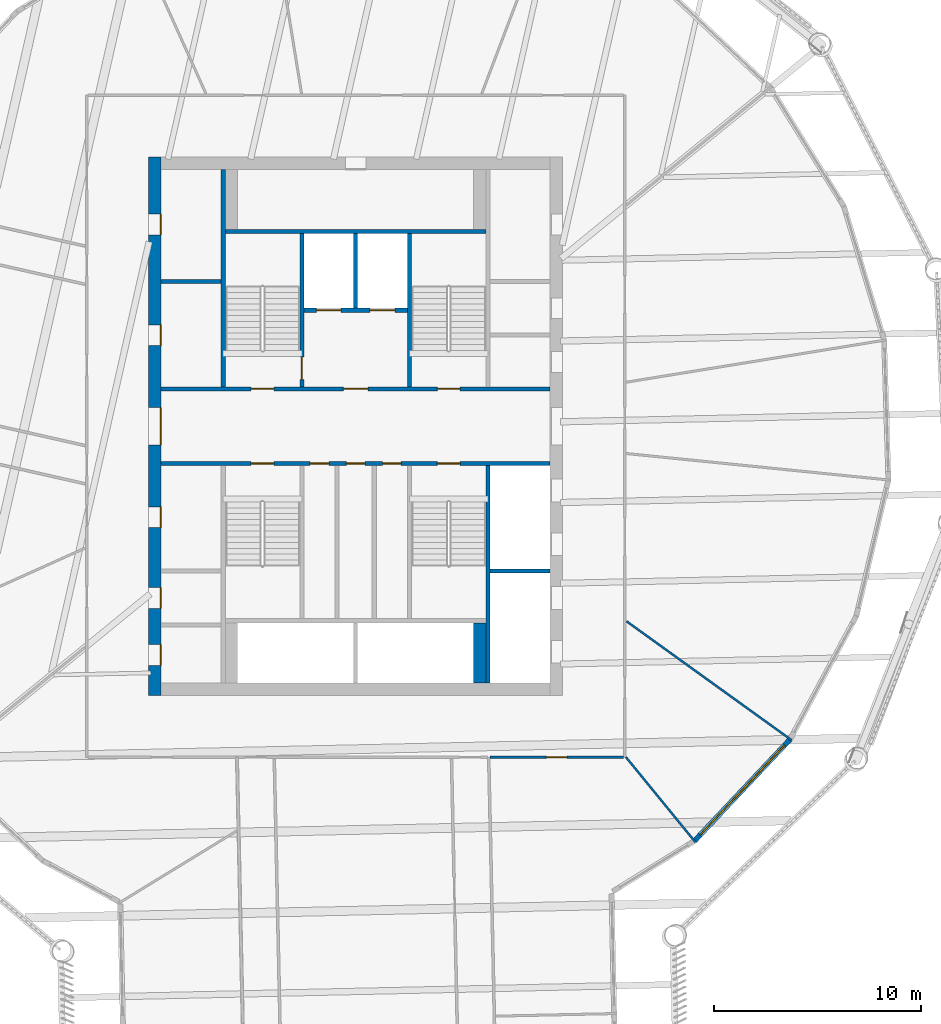
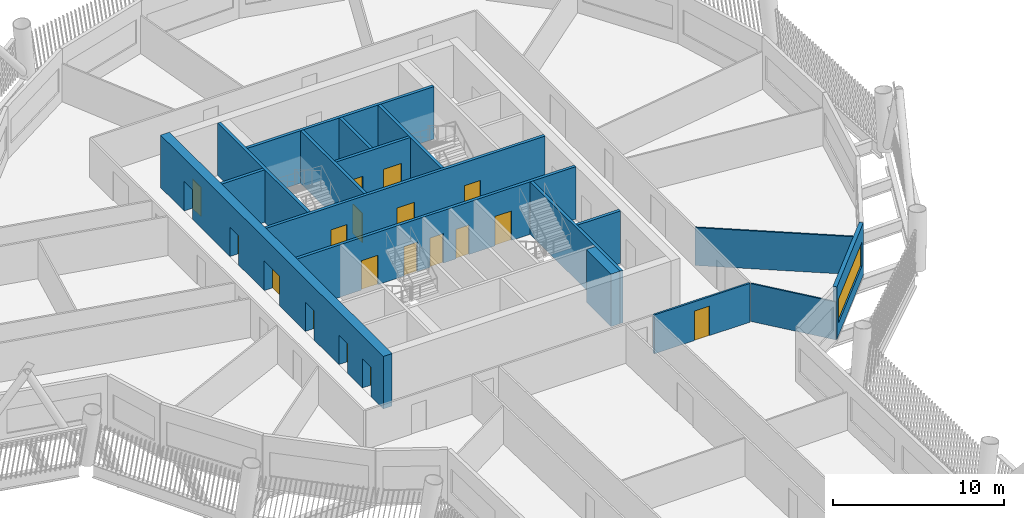
# One storey, part 5 of 23: 18 doors, 17 walls, 1 window, 19 openings.
"""IFC4 building model written with IfcOpenShell, lengths in metres."""

import ifcopenshell
import ifcopenshell.guid

model = None  # the IFC model being written
_history = None  # IfcOwnerHistory: only IFC2X3 demands one
_inside = {}  # id of a spatial element -> (the spatial element, [elements in it])
_under = {}  # id of a project, library or spatial element -> (it, [spatial elements below it])
_declared = {}  # id of a project -> (the project, [libraries it declares])
_typed = {}  # id of a type object -> (the type object, [elements of that type])
_made_of = {}  # id of a material, layer set ... -> (it, [elements and type objects made of it])


def new_model(schema):
    """Start an empty IFC model of exactly this schema.

    Asked for "IFC4X3", IfcOpenShell would pick the latest addendum, in which some entities
    have other attributes; the version numbers below select the first issue.
    IFC2X3 requires an IfcOwnerHistory on every rooted entity: one is made here for all.
    """
    global model, _history
    if schema == "IFC4X3":
        model = ifcopenshell.file(schema_version=(4, 3, 0, 0))
    else:
        model = ifcopenshell.file(schema=schema)
    _inside.clear()
    _under.clear()
    _declared.clear()
    _typed.clear()
    _made_of.clear()
    _history = None
    if model.schema == "IFC2X3":
        org = make("IfcOrganization", Name="unknown")
        user = make(
            "IfcPersonAndOrganization",
            ThePerson=make("IfcPerson", FamilyName="unknown"),
            TheOrganization=org,
        )
        app = make(
            "IfcApplication",
            ApplicationDeveloper=org,
            Version="unknown",
            ApplicationFullName="unknown",
            ApplicationIdentifier="unknown",
        )
        _history = make(
            "IfcOwnerHistory",
            OwningUser=user,
            OwningApplication=app,
            ChangeAction="ADDED",
            CreationDate=0,
        )
    return model


def make(cls, **values):
    """One entity of the class cls with the attributes given. An attribute that is None is left unset."""
    return model.create_entity(
        cls, **{name: value for name, value in values.items() if value is not None}
    )


def rooted(cls, **values):
    """An entity with a GlobalId (a new one), such as an element, a storey or a relation."""
    return make(cls, GlobalId=ifcopenshell.guid.new(), OwnerHistory=_history, **values)


def si_unit(unit_type, name, prefix=None):
    """IfcSIUnit, for example si_unit("LENGTHUNIT", "METRE", prefix="MILLI")."""
    return make("IfcSIUnit", UnitType=unit_type, Prefix=prefix, Name=name)


def assignment(units):
    """IfcUnitAssignment: the units of a project."""
    return None if units is None else make("IfcUnitAssignment", Units=units)


def point(xyz):
    """IfcCartesianPoint."""
    return None if xyz is None else make("IfcCartesianPoint", Coordinates=xyz)


def direction(xyz):
    """IfcDirection."""
    return None if xyz is None else make("IfcDirection", DirectionRatios=xyz)


def frame(location, z_axis=None, x_axis=None):
    """IfcAxis2Placement3D, a coordinate frame: its origin and axes. An axis left out is left unset."""
    return make(
        "IfcAxis2Placement3D",
        Location=point(location),
        Axis=direction(z_axis),
        RefDirection=direction(x_axis),
    )


def frame_2d(location, x_axis=None):
    """IfcAxis2Placement2D, a coordinate frame in the plane: its origin and x axis."""
    return make(
        "IfcAxis2Placement2D", Location=point(location), RefDirection=direction(x_axis)
    )


def origin():
    """The frame at (0, 0, 0) with its axes left unset."""
    return frame((0.0, 0.0, 0.0))


def place(relative_to, where):
    """IfcLocalPlacement: puts the frame where relative to a parent placement (None: the world)."""
    return make(
        "IfcLocalPlacement", PlacementRelTo=relative_to, RelativePlacement=where
    )


def context(
    kind, dimensions, precision=None, world=None, true_north=None, identifier=None
):
    """IfcGeometricRepresentationContext, for example the 3D "Model" context."""
    return make(
        "IfcGeometricRepresentationContext",
        ContextIdentifier=identifier,
        ContextType=kind,
        CoordinateSpaceDimension=dimensions,
        Precision=precision,
        WorldCoordinateSystem=world,
        TrueNorth=true_north,
    )


def subcontext(parent, identifier, kind, view, scale=None):
    """IfcGeometricRepresentationSubContext, for example "Body" below "Model"."""
    return make(
        "IfcGeometricRepresentationSubContext",
        ContextIdentifier=identifier,
        ContextType=kind,
        ParentContext=parent,
        TargetScale=scale,
        TargetView=view,
    )


def project(units=None, contexts=None):
    """IfcProject with its units and contexts."""
    return rooted(
        "IfcProject",
        Name="project",
        RepresentationContexts=contexts,
        UnitsInContext=assignment(units),
    )


def spatial(cls, under=None, at=None, **own):
    """A site, building, storey or space (cls), placed at a placement, below another one or the project."""
    s = rooted(cls, ObjectPlacement=at, **own)
    if under is not None:
        _under.setdefault(under.id(), (under, []))[1].append(s)
    return s


def profile(cls, at=None, kind="AREA", **sizes):
    """A parametric profile (cls). Its sizes go by their IFC names, for example OverallWidth=200.0."""
    return make(cls, ProfileType=kind, Position=at, **sizes)


def rectangle(**sizes):
    """IfcRectangleProfileDef."""
    return profile("IfcRectangleProfileDef", **sizes)


def extrude(swept, where, along, depth):
    """IfcExtrudedAreaSolid: the profile swept, set in the frame where, extruded along a direction by depth."""
    return make(
        "IfcExtrudedAreaSolid",
        SweptArea=swept,
        Position=where,
        ExtrudedDirection=direction(along),
        Depth=depth,
    )


def shape(context_of_items, identifier, shape_type, items):
    """IfcShapeRepresentation: the items that make up one representation, for example the "Body"."""
    return make(
        "IfcShapeRepresentation",
        ContextOfItems=context_of_items,
        RepresentationIdentifier=identifier,
        RepresentationType=shape_type,
        Items=items,
    )


def material(Name=None, Category=None):
    """IfcMaterial."""
    return make("IfcMaterial", Name=Name, Category=Category)


def layer(
    of_material, thickness, ventilated=None, Name=None, Category=None, Priority=None
):
    """IfcMaterialLayer: one layer of a wall or slab, of a material (None: an air gap)."""
    return make(
        "IfcMaterialLayer",
        Material=of_material,
        LayerThickness=thickness,
        IsVentilated=ventilated,
        Name=Name,
        Category=Category,
        Priority=Priority,
    )


def layer_set(layers, Name=None):
    """IfcMaterialLayerSet."""
    return make("IfcMaterialLayerSet", MaterialLayers=layers, LayerSetName=Name)


def made_of(thing, what):
    """Note that an element or type object is made of a material, layer set ...; save() writes the relation."""
    if what is not None:
        _made_of.setdefault(what.id(), (what, []))[1].append(thing)
    return thing


def type_object(cls, material=None, **own):
    """A type object (cls), such as IfcWallType, which elements share."""
    return made_of(rooted(cls, **own), material)


def element(
    cls,
    number,
    at=None,
    inside=None,
    cuts=None,
    type_object=None,
    material=None,
    context=None,
    identifier="Body",
    shape_type=None,
    held_by="IfcProductDefinitionShape",
    body=None,
    shapes=None,
    **own,
):
    """One element of the class cls, such as IfcWall. Its Tag is "e" and its number.

    at: its placement. inside: the storey or other place that contains it. cuts: it is an
    opening in that element (IfcRelVoidsElement). A single representation is given by context,
    identifier, shape_type and body (its items); several are given by shapes. held_by: the class
    of the entity that holds the representations. save() writes the other relations.
    """
    e = rooted(cls, Tag="e%d" % number, ObjectPlacement=at, **own)
    if body is not None:
        shapes = [shape(context, identifier, shape_type, body)]
    if shapes is not None:
        e.Representation = make(held_by, Representations=shapes)
    if inside is not None:
        _inside.setdefault(inside.id(), (inside, []))[1].append(e)
    if cuts is not None:
        rooted(
            "IfcRelVoidsElement", RelatingBuildingElement=cuts, RelatedOpeningElement=e
        )
    if type_object is not None:
        _typed.setdefault(type_object.id(), (type_object, []))[1].append(e)
    return made_of(e, material)


def fill(opening, filler):
    """IfcRelFillsElement: the door or window that sits in an opening."""
    return rooted(
        "IfcRelFillsElement",
        RelatingOpeningElement=opening,
        RelatedBuildingElement=filler,
    )


def aggregate(whole, parts):
    """IfcRelAggregates: a whole, such as a stair, and the parts it consists of."""
    return rooted("IfcRelAggregates", RelatingObject=whole, RelatedObjects=parts)


def save(model, path):
    """Write the relations noted so far, then the file.

    IfcRelAggregates (storeys below a building ...), IfcRelContainedInSpatialStructure (elements
    in a storey), IfcRelDefinesByType, IfcRelAssociatesMaterial and IfcRelDeclares: one each for
    every whole, place, type object, material and project.
    """
    for whole, parts in _under.values():
        aggregate(whole, parts)
    for where, things in _inside.values():
        rooted(
            "IfcRelContainedInSpatialStructure",
            RelatedElements=things,
            RelatingStructure=where,
        )
    for kind, things in _typed.values():
        rooted("IfcRelDefinesByType", RelatedObjects=things, RelatingType=kind)
    for what, things in _made_of.values():
        rooted("IfcRelAssociatesMaterial", RelatedObjects=things, RelatingMaterial=what)
    for by, libraries in _declared.values():
        rooted("IfcRelDeclares", RelatingContext=by, RelatedDefinitions=libraries)
    model.write(path)


model = new_model("IFC4")

# Units and contexts
model_context = context("Model", 3, precision=1e-05, world=origin(), true_north=direction((0.0, 1.0)))
body_context = subcontext(model_context, "Body", "Model", "MODEL_VIEW")
ifc_project = project(units=[si_unit("LENGTHUNIT", "METRE"), si_unit("AREAUNIT", "SQUARE_METRE"), si_unit("VOLUMEUNIT", "CUBIC_METRE"), si_unit("PLANEANGLEUNIT", "RADIAN"), si_unit("MASSUNIT", "GRAM", prefix="KILO")], contexts=[model_context])

# Site, building, storey
site_placement = place(None, origin())
site = spatial("IfcSite", under=ifc_project, at=site_placement, CompositionType="ELEMENT")
building_placement = place(site_placement, origin())
building = spatial("IfcBuilding", under=site, at=building_placement, Name="Tarsis Ring Headquarters", CompositionType="ELEMENT")
storey_placement = place(building_placement, frame((0.0, 0.0, 231.60009765625)))
storey = spatial("IfcBuildingStorey", under=building, at=storey_placement, Name="L54", CompositionType="ELEMENT", Elevation=231.60009765625)

# Wall
ifc_material_1 = material(Name="Blockwork", Category="masonry")
ifc_layer_1 = layer(ifc_material_1, 0.199951171875)
ifc_layer_set_1 = layer_set([ifc_layer_1], Name="Core blockwork wall 200")
wall_type_1 = type_object("IfcWallType", Name="Core blockwork wall 200", PredefinedType="PARTITIONING", material=ifc_layer_set_1)
wall_1_placement = place(storey_placement, frame((-9.39990234375, 7.0, 0.0), z_axis=(0.0, 0.0, 1.0), x_axis=(1.0, 0.0, 0.0)))
element("IfcWall", 1, at=wall_1_placement, inside=storey, type_object=wall_type_1, Name="Core partition WD6", PredefinedType="PARTITIONING", context=body_context, shape_type="SweptSolid", body=[
    extrude(rectangle(XDim=2.89990234375, YDim=0.199951171875, at=frame_2d((1.449951171875, 0.0))), origin(), (0.0, 0.0, 1.0), 3.739990234375),
])

# Wall, openings, doors
ifc_material_2 = material(Name="Concrete C50/60", Category="concrete")
ifc_layer_2 = layer(ifc_material_2, 0.60009765625)
ifc_layer_set_2 = layer_set([ifc_layer_2], Name="Core wall 600 C50/60")
wall_type_2 = type_object("IfcWallType", Name="Core wall 600 C50/60", PredefinedType="SHEAR", material=ifc_layer_set_2)
wall_2_placement = place(storey_placement, frame((-9.699951171875, -13.0, 0.0), z_axis=(0.0, 0.0, 1.0), x_axis=(0.0, 1.0, 0.0)))
wall_2 = element("IfcWall", 2, at=wall_2_placement, inside=storey, type_object=wall_type_2, Name="Core wall OW", PredefinedType="SHEAR", context=body_context, shape_type="SweptSolid", body=[
    extrude(rectangle(XDim=26.0, YDim=0.60009765625, at=frame_2d((13.0, 0.0))), origin(), (0.0, 0.0, 1.0), 3.739990234375),
])
opening_1_placement = place(wall_2_placement, frame((1.449951171875, 0.0, 0.0)))
opening_1 = element("IfcOpeningElement", 3, at=opening_1_placement, cuts=wall_2, Name="Opening L54-C01", PredefinedType="OPENING", context=body_context, shape_type="SweptSolid", body=[
    extrude(rectangle(XDim=1.0, YDim=2.10009765625, at=frame_2d((0.5, 1.050048828125))), frame((0.0, 0.31005859375, 0.0), z_axis=(0.0, -1.0, 0.0), x_axis=(1.0, 0.0, 0.0)), (0.0, 0.0, 1.0), 0.6201171875),
])
opening_2_placement = place(wall_2_placement, frame((4.199951171875, 0.0, 0.0)))
opening_2 = element("IfcOpeningElement", 4, at=opening_2_placement, cuts=wall_2, Name="Opening L54-C02", PredefinedType="OPENING", context=body_context, shape_type="SweptSolid", body=[
    extrude(rectangle(XDim=1.0, YDim=2.10009765625, at=frame_2d((0.5, 1.050048828125))), frame((0.0, 0.31005859375, 0.0), z_axis=(0.0, -1.0, 0.0), x_axis=(1.0, 0.0, 0.0)), (0.0, 0.0, 1.0), 0.6201171875),
])
opening_3_placement = place(wall_2_placement, frame((8.10009765625, 0.0, 0.0)))
opening_3 = element("IfcOpeningElement", 5, at=opening_3_placement, cuts=wall_2, Name="Opening L54-C03", PredefinedType="OPENING", context=body_context, shape_type="SweptSolid", body=[
    extrude(rectangle(XDim=1.0, YDim=2.10009765625, at=frame_2d((0.5, 1.050048828125))), frame((0.0, 0.31005859375, 0.0), z_axis=(0.0, -1.0, 0.0), x_axis=(1.0, 0.0, 0.0)), (0.0, 0.0, 1.0), 0.6201171875),
])
opening_4_placement = place(wall_2_placement, frame((12.10009765625, 0.0, 0.0)))
opening_4 = element("IfcOpeningElement", 6, at=opening_4_placement, cuts=wall_2, Name="Opening L54-C04", PredefinedType="OPENING", context=body_context, shape_type="SweptSolid", body=[
    extrude(rectangle(XDim=1.800048828125, YDim=2.10009765625, at=frame_2d((0.89990234375, 1.050048828125))), frame((0.0, 0.31005859375, 0.0), z_axis=(0.0, -1.0, 0.0), x_axis=(1.0, 0.0, 0.0)), (0.0, 0.0, 1.0), 0.6201171875),
])
opening_5_placement = place(wall_2_placement, frame((16.89990234375, 0.0, 0.0)))
opening_5 = element("IfcOpeningElement", 7, at=opening_5_placement, cuts=wall_2, Name="Opening L54-C05", PredefinedType="OPENING", context=body_context, shape_type="SweptSolid", body=[
    extrude(rectangle(XDim=1.0, YDim=2.10009765625, at=frame_2d((0.5, 1.050048828125))), frame((0.0, 0.31005859375, 0.0), z_axis=(0.0, -1.0, 0.0), x_axis=(1.0, 0.0, 0.0)), (0.0, 0.0, 1.0), 0.6201171875),
])
opening_6_placement = place(wall_2_placement, frame((22.25, 0.0, 0.0)))
opening_6 = element("IfcOpeningElement", 8, at=opening_6_placement, cuts=wall_2, Name="Opening L54-C06", PredefinedType="OPENING", context=body_context, shape_type="SweptSolid", body=[
    extrude(rectangle(XDim=1.0, YDim=2.10009765625, at=frame_2d((0.5, 1.050048828125))), frame((0.0, 0.31005859375, 0.0), z_axis=(0.0, -1.0, 0.0), x_axis=(1.0, 0.0, 0.0)), (0.0, 0.0, 1.0), 0.6201171875),
])
ifc_material_3 = material(Name="Steel S355", Category="steel")
door_type_1 = type_object("IfcDoorType", Name="Core entry door 1800x2100", OperationType="DOUBLE_DOOR_SINGLE_SWING", PredefinedType="DOOR", material=ifc_material_3)
door_1_placement = place(opening_4_placement, origin())
door_1 = element("IfcDoor", 9, at=door_1_placement, inside=storey, type_object=door_type_1, Name="Core entry door L54", OperationType="DOUBLE_DOOR_SINGLE_SWING", OverallHeight=2.10009765625, OverallWidth=1.800048828125, PredefinedType="DOOR", context=body_context, shape_type="SweptSolid", body=[
    extrude(rectangle(XDim=1.800048828125, YDim=2.10009765625, at=frame_2d((0.89990234375, 1.050048828125))), frame((0.0, -0.25, 0.0), z_axis=(0.0, -1.0, 0.0), x_axis=(1.0, 0.0, 0.0)), (0.0, 0.0, 1.0), 0.050048828125),
])
fill(opening_4, door_1)
door_type_2 = type_object("IfcDoorType", Name="Core room door 1000x2100", OperationType="SINGLE_SWING_LEFT", PredefinedType="DOOR", material=ifc_material_3)
door_2_placement = place(opening_1_placement, origin())
door_2 = element("IfcDoor", 10, at=door_2_placement, inside=storey, type_object=door_type_2, Name="Core room door L54", OperationType="SINGLE_SWING_LEFT", OverallHeight=2.10009765625, OverallWidth=1.0, PredefinedType="DOOR", context=body_context, shape_type="SweptSolid", body=[
    extrude(rectangle(XDim=1.0, YDim=2.10009765625, at=frame_2d((0.5, 1.050048828125))), frame((0.0, -0.25, 0.0), z_axis=(0.0, -1.0, 0.0), x_axis=(1.0, 0.0, 0.0)), (0.0, 0.0, 1.0), 0.050048828125),
])
fill(opening_1, door_2)
door_3_placement = place(opening_2_placement, origin())
door_3 = element("IfcDoor", 11, at=door_3_placement, inside=storey, type_object=door_type_2, Name="Core room door L54", OperationType="SINGLE_SWING_LEFT", OverallHeight=2.10009765625, OverallWidth=1.0, PredefinedType="DOOR", context=body_context, shape_type="SweptSolid", body=[
    extrude(rectangle(XDim=1.0, YDim=2.10009765625, at=frame_2d((0.5, 1.050048828125))), frame((0.0, -0.25, 0.0), z_axis=(0.0, -1.0, 0.0), x_axis=(1.0, 0.0, 0.0)), (0.0, 0.0, 1.0), 0.050048828125),
])
fill(opening_2, door_3)
door_4_placement = place(opening_3_placement, origin())
door_4 = element("IfcDoor", 12, at=door_4_placement, inside=storey, type_object=door_type_2, Name="Core room door L54", OperationType="SINGLE_SWING_LEFT", OverallHeight=2.10009765625, OverallWidth=1.0, PredefinedType="DOOR", context=body_context, shape_type="SweptSolid", body=[
    extrude(rectangle(XDim=1.0, YDim=2.10009765625, at=frame_2d((0.5, 1.050048828125))), frame((0.0, -0.25, 0.0), z_axis=(0.0, -1.0, 0.0), x_axis=(1.0, 0.0, 0.0)), (0.0, 0.0, 1.0), 0.050048828125),
])
fill(opening_3, door_4)
door_5_placement = place(opening_5_placement, origin())
door_5 = element("IfcDoor", 13, at=door_5_placement, inside=storey, type_object=door_type_2, Name="Core room door L54", OperationType="SINGLE_SWING_LEFT", OverallHeight=2.10009765625, OverallWidth=1.0, PredefinedType="DOOR", context=body_context, shape_type="SweptSolid", body=[
    extrude(rectangle(XDim=1.0, YDim=2.10009765625, at=frame_2d((0.5, 1.050048828125))), frame((0.0, -0.25, 0.0), z_axis=(0.0, -1.0, 0.0), x_axis=(1.0, 0.0, 0.0)), (0.0, 0.0, 1.0), 0.050048828125),
])
fill(opening_5, door_5)
door_6_placement = place(opening_6_placement, origin())
door_6 = element("IfcDoor", 14, at=door_6_placement, inside=storey, type_object=door_type_2, Name="Core room door L54", OperationType="SINGLE_SWING_LEFT", OverallHeight=2.10009765625, OverallWidth=1.0, PredefinedType="DOOR", context=body_context, shape_type="SweptSolid", body=[
    extrude(rectangle(XDim=1.0, YDim=2.10009765625, at=frame_2d((0.5, 1.050048828125))), frame((0.0, -0.25, 0.0), z_axis=(0.0, -1.0, 0.0), x_axis=(1.0, 0.0, 0.0)), (0.0, 0.0, 1.0), 0.050048828125),
])
fill(opening_6, door_6)

# Walls
ifc_material_4 = material(Name="Gypsum board on steel studs", Category="steel")
ifc_layer_3 = layer(ifc_material_4, 0.10009765625)
ifc_layer_set_3 = layer_set([ifc_layer_3], Name="FL partition 100 unrated")
wall_type_3 = type_object("IfcWallType", Name="FL partition 100 unrated", PredefinedType="PARTITIONING", material=ifc_layer_set_3)
wall_3_placement = place(storey_placement, frame((13.0810546875, -9.42041015625, 0.0), z_axis=(0.0, 0.0, 1.0), x_axis=(0.811461301439, -0.584406156937, 0.0)))
element("IfcWall", 15, at=wall_3_placement, inside=storey, type_object=wall_type_3, Name="Partition PW3", PredefinedType="PARTITIONING", context=body_context, shape_type="SweptSolid", body=[
    extrude(rectangle(XDim=9.827880859375, YDim=0.10009765625, at=frame_2d((4.9140625, 0.0))), origin(), (0.0, 0.0, 1.0), 2.699951171875),
])
wall_4_placement = place(storey_placement, frame((13.056884765625, -15.986572265625, 0.0), z_axis=(0.0, 0.0, 1.0), x_axis=(0.632573668094, -0.774500196536, 0.0)))
element("IfcWall", 16, at=wall_4_placement, inside=storey, type_object=wall_type_3, Name="Partition PW3", PredefinedType="PARTITIONING", context=body_context, shape_type="SweptSolid", body=[
    extrude(rectangle(XDim=5.306884765625, YDim=0.10009765625, at=frame_2d((2.6533203125, 0.0))), origin(), (0.0, 0.0, 1.0), 2.699951171875),
])

# Wall, opening, door
ifc_layer_4 = layer(ifc_material_4, 0.125)
ifc_layer_set_4 = layer_set([ifc_layer_4], Name="FL partition 125 EI 60 H2770")
wall_type_4 = type_object("IfcWallType", Name="FL partition 125 EI 60 H2770", PredefinedType="PARTITIONING", material=ifc_layer_set_4)
wall_5_placement = place(storey_placement, frame((6.49169921875, -16.0, 0.0), z_axis=(0.0, 0.0, 1.0), x_axis=(1.0, 0.0, 0.0)))
wall_5 = element("IfcWall", 17, at=wall_5_placement, inside=storey, type_object=wall_type_4, Name="Partition PW1", PredefinedType="PARTITIONING", context=body_context, shape_type="SweptSolid", body=[
    extrude(rectangle(XDim=6.4482421875, YDim=0.125, at=frame_2d((3.22412109375, 0.0))), origin(), (0.0, 0.0, 1.0), 2.77001953125),
])
opening_7_placement = place(wall_5_placement, frame((2.722412109375, 0.0, 0.0)))
opening_7 = element("IfcOpeningElement", 18, at=opening_7_placement, cuts=wall_5, Name="Opening D54.11", PredefinedType="OPENING", context=body_context, shape_type="SweptSolid", body=[
    extrude(rectangle(XDim=1.0, YDim=2.10009765625, at=frame_2d((0.5, 1.050048828125))), frame((0.0, 0.072509765625, 0.0), z_axis=(0.0, -1.0, 0.0), x_axis=(1.0, 0.0, 0.0)), (0.0, 0.0, 1.0), 0.14501953125),
])
ifc_material_5 = material(Name="Fire-rated timber door leaf in steel frame", Category="steel")
door_type_3 = type_object("IfcDoorType", Name="FL door FD60-1000", OperationType="NOTDEFINED", PredefinedType="DOOR", material=ifc_material_5)
door_7_placement = place(opening_7_placement, origin())
door_7 = element("IfcDoor", 19, at=door_7_placement, inside=storey, type_object=door_type_3, Name="Door D54.11", OperationType="SINGLE_SWING_LEFT", OverallHeight=2.10009765625, OverallWidth=1.0, PredefinedType="DOOR", context=body_context, shape_type="SweptSolid", body=[
    extrude(rectangle(XDim=1.0, YDim=2.10009765625, at=frame_2d((0.5, 1.050048828125))), frame((0.0, 0.02490234375, 0.0), z_axis=(0.0, -1.0, 0.0), x_axis=(1.0, 0.0, 0.0)), (0.0, 0.0, 1.0), 0.050048828125),
])
fill(opening_7, door_7)

# Wall, opening, window
ifc_material_6 = material(Name="Terracotta clad insulated panel wall", Category="masonry")
ifc_layer_5 = layer(ifc_material_6, 0.25)
ifc_layer_set_5 = layer_set([ifc_layer_5], Name="Facade wall terracotta panel 250")
wall_type_5 = type_object("IfcWallType", Name="Facade wall terracotta panel 250", PredefinedType="STANDARD", material=ifc_layer_set_5)
wall_6_placement = place(storey_placement, frame((16.37841796875, -20.02734375, 0.0), z_axis=(0.0, 0.0, 1.0), x_axis=(0.685313711259, 0.728247977794, 0.0)))
wall_6 = element("IfcWall", 20, at=wall_6_placement, inside=storey, type_object=wall_type_5, Name="External wall L54-18", PredefinedType="STANDARD", context=body_context, shape_type="SweptSolid", body=[
    extrude(rectangle(XDim=6.72119140625, YDim=0.25, at=frame_2d((3.360595703125, 0.0))), origin(), (0.0, 0.0, 1.0), 3.739990234375),
])
opening_8_placement = place(wall_6_placement, frame((0.3857421875, 0.0, 0.89990234375)))
opening_8 = element("IfcOpeningElement", 21, at=opening_8_placement, cuts=wall_6, Name="Opening WN07", PredefinedType="OPENING", context=body_context, shape_type="SweptSolid", body=[
    extrude(rectangle(XDim=5.949951171875, YDim=1.699951171875, at=frame_2d((2.97509765625, 0.85009765625))), frame((0.0, 0.135009765625, 0.0), z_axis=(0.0, -1.0, 0.0), x_axis=(1.0, 0.0, 0.0)), (0.0, 0.0, 1.0), 0.27001953125),
])
ifc_material_7 = material(Name="Aluminium framed double glazing", Category="aluminium")
window_type = type_object("IfcWindowType", Name="Facade window 5950 x 1700", PartitioningType="SINGLE_PANEL", PredefinedType="WINDOW", material=ifc_material_7)
window_placement = place(opening_8_placement, origin())
window = element("IfcWindow", 22, at=window_placement, inside=storey, type_object=window_type, Name="Window L54-18.1", OverallHeight=1.699951171875, OverallWidth=5.949951171875, PartitioningType="SINGLE_PANEL", PredefinedType="WINDOW", context=body_context, shape_type="SweptSolid", body=[
    extrude(rectangle(XDim=5.949951171875, YDim=1.699951171875, at=frame_2d((2.97509765625, 0.85009765625))), frame((0.0, 0.030029296875, 0.0), z_axis=(0.0, -1.0, 0.0), x_axis=(1.0, 0.0, 0.0)), (0.0, 0.0, 1.0), 0.06005859375),
])
fill(opening_8, window)

# Wall
ifc_material_8 = material(Name="Concrete C32/40", Category="concrete")
ifc_layer_6 = layer(ifc_material_8, 0.60009765625)
ifc_layer_set_6 = layer_set([ifc_layer_6], Name="Shaft end wall 600 C32/40")
wall_type_6 = type_object("IfcWallType", Name="Shaft end wall 600 C32/40", PredefinedType="SOLIDWALL", material=ifc_layer_set_6)
wall_7_placement = place(storey_placement, frame((6.0, -12.39990234375, 0.0), z_axis=(0.0, 0.0, 1.0), x_axis=(0.0, 1.0, 0.0)))
element("IfcWall", 23, at=wall_7_placement, inside=storey, type_object=wall_type_6, Name="Core shaft wall SNE2", PredefinedType="SOLIDWALL", context=body_context, shape_type="SweptSolid", body=[
    extrude(rectangle(XDim=2.89990234375, YDim=0.60009765625, at=frame_2d((1.449951171875, 0.0))), origin(), (0.0, 0.0, 1.0), 3.739990234375),
])

# Wall, openings, doors
ifc_layer_7 = layer(ifc_material_8, 0.199951171875)
ifc_layer_set_7 = layer_set([ifc_layer_7], Name="Shaft wall 200 C32/40")
wall_type_7 = type_object("IfcWallType", Name="Shaft wall 200 C32/40", PredefinedType="SOLIDWALL", material=ifc_layer_set_7)
wall_8_placement = place(storey_placement, frame((-9.39990234375, 1.800048828125, 0.0), z_axis=(0.0, 0.0, 1.0), x_axis=(1.0, 0.0, 0.0)))
wall_8 = element("IfcWall", 24, at=wall_8_placement, inside=storey, type_object=wall_type_7, Name="Core shaft wall CN", PredefinedType="SOLIDWALL", context=body_context, shape_type="SweptSolid", body=[
    extrude(rectangle(XDim=18.7998046875, YDim=0.199951171875, at=frame_2d((9.39990234375, 0.0))), origin(), (0.0, 0.0, 1.0), 3.739990234375),
])
opening_9_placement = place(wall_8_placement, frame((4.35009765625, 0.0, 0.0)))
opening_9 = element("IfcOpeningElement", 25, at=opening_9_placement, cuts=wall_8, Name="Opening L54-C16", PredefinedType="OPENING", context=body_context, shape_type="SweptSolid", body=[
    extrude(rectangle(XDim=1.10009765625, YDim=2.10009765625, at=frame_2d((0.550048828125, 1.050048828125))), frame((0.0, 0.10986328125, 0.0), z_axis=(0.0, -1.0, 0.0), x_axis=(1.0, 0.0, 0.0)), (0.0, 0.0, 1.0), 0.219970703125),
])
opening_10_placement = place(wall_8_placement, frame((8.800048828125, 0.0, 0.0)))
opening_10 = element("IfcOpeningElement", 26, at=opening_10_placement, cuts=wall_8, Name="Opening L54-C17", PredefinedType="OPENING", context=body_context, shape_type="SweptSolid", body=[
    extrude(rectangle(XDim=1.199951171875, YDim=2.10009765625, at=frame_2d((0.60009765625, 1.050048828125))), frame((0.0, 0.10986328125, 0.0), z_axis=(0.0, -1.0, 0.0), x_axis=(1.0, 0.0, 0.0)), (0.0, 0.0, 1.0), 0.219970703125),
])
opening_11_placement = place(wall_8_placement, frame((13.35009765625, 0.0, 0.0)))
opening_11 = element("IfcOpeningElement", 27, at=opening_11_placement, cuts=wall_8, Name="Opening L54-C18", PredefinedType="OPENING", context=body_context, shape_type="SweptSolid", body=[
    extrude(rectangle(XDim=1.10009765625, YDim=2.10009765625, at=frame_2d((0.550048828125, 1.050048828125))), frame((0.0, 0.10986328125, 0.0), z_axis=(0.0, -1.0, 0.0), x_axis=(1.0, 0.0, 0.0)), (0.0, 0.0, 1.0), 0.219970703125),
])
door_type_4 = type_object("IfcDoorType", Name="Firefighting lobby door 1200x2100", OperationType="DOUBLE_DOOR_SINGLE_SWING", PredefinedType="DOOR", material=ifc_material_3)
door_8_placement = place(opening_10_placement, origin())
door_8 = element("IfcDoor", 28, at=door_8_placement, inside=storey, type_object=door_type_4, Name="Firefighting lobby door L54", OperationType="DOUBLE_DOOR_SINGLE_SWING", OverallHeight=2.10009765625, OverallWidth=1.199951171875, PredefinedType="DOOR", context=body_context, shape_type="SweptSolid", body=[
    extrude(rectangle(XDim=1.199951171875, YDim=2.10009765625, at=frame_2d((0.60009765625, 1.050048828125))), frame((0.0, 0.02490234375, 0.0), z_axis=(0.0, -1.0, 0.0), x_axis=(1.0, 0.0, 0.0)), (0.0, 0.0, 1.0), 0.050048828125),
])
fill(opening_10, door_8)
door_type_5 = type_object("IfcDoorType", Name="Stair door 1100x2100", OperationType="SINGLE_SWING_LEFT", PredefinedType="DOOR", material=ifc_material_3)
door_9_placement = place(opening_9_placement, origin())
door_9 = element("IfcDoor", 29, at=door_9_placement, inside=storey, type_object=door_type_5, Name="Stair door L54", OperationType="SINGLE_SWING_LEFT", OverallHeight=2.10009765625, OverallWidth=1.10009765625, PredefinedType="DOOR", context=body_context, shape_type="SweptSolid", body=[
    extrude(rectangle(XDim=1.10009765625, YDim=2.10009765625, at=frame_2d((0.550048828125, 1.050048828125))), frame((0.0, 0.02490234375, 0.0), z_axis=(0.0, -1.0, 0.0), x_axis=(1.0, 0.0, 0.0)), (0.0, 0.0, 1.0), 0.050048828125),
])
fill(opening_9, door_9)
door_10_placement = place(opening_11_placement, origin())
door_10 = element("IfcDoor", 30, at=door_10_placement, inside=storey, type_object=door_type_5, Name="Stair door L54", OperationType="SINGLE_SWING_LEFT", OverallHeight=2.10009765625, OverallWidth=1.10009765625, PredefinedType="DOOR", context=body_context, shape_type="SweptSolid", body=[
    extrude(rectangle(XDim=1.10009765625, YDim=2.10009765625, at=frame_2d((0.550048828125, 1.050048828125))), frame((0.0, 0.02490234375, 0.0), z_axis=(0.0, -1.0, 0.0), x_axis=(1.0, 0.0, 0.0)), (0.0, 0.0, 1.0), 0.050048828125),
])
fill(opening_11, door_10)

wall_9_placement = place(storey_placement, frame((-9.39990234375, -1.800048828125, 0.0), z_axis=(0.0, 0.0, 1.0), x_axis=(1.0, 0.0, 0.0)))
wall_9 = element("IfcWall", 31, at=wall_9_placement, inside=storey, type_object=wall_type_7, Name="Core shaft wall CS", PredefinedType="SOLIDWALL", context=body_context, shape_type="SweptSolid", body=[
    extrude(rectangle(XDim=18.7998046875, YDim=0.199951171875, at=frame_2d((9.39990234375, 0.0))), origin(), (0.0, 0.0, 1.0), 3.739990234375),
])
opening_12_placement = place(wall_9_placement, frame((4.35009765625, 0.0, 0.0)))
opening_12 = element("IfcOpeningElement", 32, at=opening_12_placement, cuts=wall_9, Name="Opening L54-C19", PredefinedType="OPENING", context=body_context, shape_type="SweptSolid", body=[
    extrude(rectangle(XDim=1.10009765625, YDim=2.10009765625, at=frame_2d((0.550048828125, 1.050048828125))), frame((0.0, 0.10986328125, 0.0), z_axis=(0.0, -1.0, 0.0), x_axis=(1.0, 0.0, 0.0)), (0.0, 0.0, 1.0), 0.219970703125),
])
opening_13_placement = place(wall_9_placement, frame((7.199951171875, 0.0, 0.0)))
opening_13 = element("IfcOpeningElement", 33, at=opening_13_placement, cuts=wall_9, Name="Opening L54-C20", PredefinedType="OPENING", context=body_context, shape_type="SweptSolid", body=[
    extrude(rectangle(XDim=0.89990234375, YDim=2.10009765625, at=frame_2d((0.449951171875, 1.050048828125))), frame((0.0, 0.10986328125, 0.0), z_axis=(0.0, -1.0, 0.0), x_axis=(1.0, 0.0, 0.0)), (0.0, 0.0, 1.0), 0.219970703125),
])
opening_14_placement = place(wall_9_placement, frame((8.949951171875, 0.0, 0.0)))
opening_14 = element("IfcOpeningElement", 34, at=opening_14_placement, cuts=wall_9, Name="Opening L54-C21", PredefinedType="OPENING", context=body_context, shape_type="SweptSolid", body=[
    extrude(rectangle(XDim=0.89990234375, YDim=2.10009765625, at=frame_2d((0.449951171875, 1.050048828125))), frame((0.0, 0.10986328125, 0.0), z_axis=(0.0, -1.0, 0.0), x_axis=(1.0, 0.0, 0.0)), (0.0, 0.0, 1.0), 0.219970703125),
])
opening_15_placement = place(wall_9_placement, frame((10.699951171875, 0.0, 0.0)))
opening_15 = element("IfcOpeningElement", 35, at=opening_15_placement, cuts=wall_9, Name="Opening L54-C22", PredefinedType="OPENING", context=body_context, shape_type="SweptSolid", body=[
    extrude(rectangle(XDim=0.89990234375, YDim=2.10009765625, at=frame_2d((0.449951171875, 1.050048828125))), frame((0.0, 0.10986328125, 0.0), z_axis=(0.0, -1.0, 0.0), x_axis=(1.0, 0.0, 0.0)), (0.0, 0.0, 1.0), 0.219970703125),
])
opening_16_placement = place(wall_9_placement, frame((13.35009765625, 0.0, 0.0)))
opening_16 = element("IfcOpeningElement", 36, at=opening_16_placement, cuts=wall_9, Name="Opening L54-C23", PredefinedType="OPENING", context=body_context, shape_type="SweptSolid", body=[
    extrude(rectangle(XDim=1.10009765625, YDim=2.10009765625, at=frame_2d((0.550048828125, 1.050048828125))), frame((0.0, 0.10986328125, 0.0), z_axis=(0.0, -1.0, 0.0), x_axis=(1.0, 0.0, 0.0)), (0.0, 0.0, 1.0), 0.219970703125),
])
door_11_placement = place(opening_12_placement, origin())
door_11 = element("IfcDoor", 37, at=door_11_placement, inside=storey, type_object=door_type_5, Name="Stair door L54", OperationType="SINGLE_SWING_LEFT", OverallHeight=2.10009765625, OverallWidth=1.10009765625, PredefinedType="DOOR", context=body_context, shape_type="SweptSolid", body=[
    extrude(rectangle(XDim=1.10009765625, YDim=2.10009765625, at=frame_2d((0.550048828125, 1.050048828125))), frame((0.0, 0.02490234375, 0.0), z_axis=(0.0, -1.0, 0.0), x_axis=(1.0, 0.0, 0.0)), (0.0, 0.0, 1.0), 0.050048828125),
])
fill(opening_12, door_11)
door_12_placement = place(opening_16_placement, origin())
door_12 = element("IfcDoor", 38, at=door_12_placement, inside=storey, type_object=door_type_5, Name="Stair door L54", OperationType="SINGLE_SWING_LEFT", OverallHeight=2.10009765625, OverallWidth=1.10009765625, PredefinedType="DOOR", context=body_context, shape_type="SweptSolid", body=[
    extrude(rectangle(XDim=1.10009765625, YDim=2.10009765625, at=frame_2d((0.550048828125, 1.050048828125))), frame((0.0, 0.02490234375, 0.0), z_axis=(0.0, -1.0, 0.0), x_axis=(1.0, 0.0, 0.0)), (0.0, 0.0, 1.0), 0.050048828125),
])
fill(opening_16, door_12)
door_type_6 = type_object("IfcDoorType", Name="WC door 900x2100", OperationType="SINGLE_SWING_LEFT", PredefinedType="DOOR", material=ifc_material_3)
door_13_placement = place(opening_13_placement, origin())
door_13 = element("IfcDoor", 39, at=door_13_placement, inside=storey, type_object=door_type_6, Name="WC door L54", OperationType="SINGLE_SWING_LEFT", OverallHeight=2.10009765625, OverallWidth=0.89990234375, PredefinedType="DOOR", context=body_context, shape_type="SweptSolid", body=[
    extrude(rectangle(XDim=0.89990234375, YDim=2.10009765625, at=frame_2d((0.449951171875, 1.050048828125))), frame((0.0, 0.02490234375, 0.0), z_axis=(0.0, -1.0, 0.0), x_axis=(1.0, 0.0, 0.0)), (0.0, 0.0, 1.0), 0.050048828125),
])
fill(opening_13, door_13)
door_14_placement = place(opening_14_placement, origin())
door_14 = element("IfcDoor", 40, at=door_14_placement, inside=storey, type_object=door_type_6, Name="WC door L54", OperationType="SINGLE_SWING_LEFT", OverallHeight=2.10009765625, OverallWidth=0.89990234375, PredefinedType="DOOR", context=body_context, shape_type="SweptSolid", body=[
    extrude(rectangle(XDim=0.89990234375, YDim=2.10009765625, at=frame_2d((0.449951171875, 1.050048828125))), frame((0.0, 0.02490234375, 0.0), z_axis=(0.0, -1.0, 0.0), x_axis=(1.0, 0.0, 0.0)), (0.0, 0.0, 1.0), 0.050048828125),
])
fill(opening_14, door_14)
door_15_placement = place(opening_15_placement, origin())
door_15 = element("IfcDoor", 41, at=door_15_placement, inside=storey, type_object=door_type_6, Name="WC door L54", OperationType="SINGLE_SWING_LEFT", OverallHeight=2.10009765625, OverallWidth=0.89990234375, PredefinedType="DOOR", context=body_context, shape_type="SweptSolid", body=[
    extrude(rectangle(XDim=0.89990234375, YDim=2.10009765625, at=frame_2d((0.449951171875, 1.050048828125))), frame((0.0, 0.02490234375, 0.0), z_axis=(0.0, -1.0, 0.0), x_axis=(1.0, 0.0, 0.0)), (0.0, 0.0, 1.0), 0.050048828125),
])
fill(opening_15, door_15)

# Walls
for number, where, z_axis, x_axis, name in (
    (42, (-6.39990234375, 1.89990234375, 0.0), (0.0, 0.0, 1.0), (0.0, 1.0, 0.0), "Core shaft wall WB2"),
    (43, (6.39990234375, -12.39990234375, 0.0), (0.0, 0.0, 1.0), (0.0, 1.0, 0.0), "Core shaft wall EB1"),
):
    element("IfcWall", number, at=place(storey_placement, frame(where, z_axis=z_axis, x_axis=x_axis)), inside=storey, type_object=wall_type_7, Name=name, PredefinedType="SOLIDWALL", context=body_context, shape_type="SweptSolid", body=[
        extrude(rectangle(XDim=10.5, YDim=0.199951171875, at=frame_2d((5.25, 0.0))), origin(), (0.0, 0.0, 1.0), 3.739990234375),
    ])
wall_10_placement = place(storey_placement, frame((-6.300048828125, 9.39990234375, 0.0), z_axis=(0.0, 0.0, 1.0), x_axis=(1.0, 0.0, 0.0)))
element("IfcWall", 44, at=wall_10_placement, inside=storey, type_object=wall_type_7, Name="Core shaft wall NB", PredefinedType="SOLIDWALL", context=body_context, shape_type="SweptSolid", body=[
    extrude(rectangle(XDim=12.60009765625, YDim=0.199951171875, at=frame_2d((6.300048828125, 0.0))), origin(), (0.0, 0.0, 1.0), 3.739990234375),
])

# Wall, opening, door
wall_11_placement = place(storey_placement, frame((-2.60009765625, 1.89990234375, 0.0), z_axis=(0.0, 0.0, 1.0), x_axis=(0.0, 1.0, 0.0)))
wall_11 = element("IfcWall", 45, at=wall_11_placement, inside=storey, type_object=wall_type_7, Name="Core shaft wall SW1", PredefinedType="SOLIDWALL", context=body_context, shape_type="SweptSolid", body=[
    extrude(rectangle(XDim=7.400146484375, YDim=0.199951171875, at=frame_2d((3.7001953125, 0.0))), origin(), (0.0, 0.0, 1.0), 3.739990234375),
])
opening_17_placement = place(wall_11_placement, frame((0.35009765625, 0.0, 0.0)))
opening_17 = element("IfcOpeningElement", 46, at=opening_17_placement, cuts=wall_11, Name="Opening L54-C24", PredefinedType="OPENING", context=body_context, shape_type="SweptSolid", body=[
    extrude(rectangle(XDim=1.10009765625, YDim=2.10009765625, at=frame_2d((0.550048828125, 1.050048828125))), frame((0.0, 0.10986328125, 0.0), z_axis=(0.0, -1.0, 0.0), x_axis=(1.0, 0.0, 0.0)), (0.0, 0.0, 1.0), 0.219970703125),
])
door_16_placement = place(opening_17_placement, origin())
door_16 = element("IfcDoor", 47, at=door_16_placement, inside=storey, type_object=door_type_5, Name="Stair door L54", OperationType="SINGLE_SWING_LEFT", OverallHeight=2.10009765625, OverallWidth=1.10009765625, PredefinedType="DOOR", context=body_context, shape_type="SweptSolid", body=[
    extrude(rectangle(XDim=1.10009765625, YDim=2.10009765625, at=frame_2d((0.550048828125, 1.050048828125))), frame((0.0, 0.02490234375, 0.0), z_axis=(0.0, -1.0, 0.0), x_axis=(1.0, 0.0, 0.0)), (0.0, 0.0, 1.0), 0.050048828125),
])
fill(opening_17, door_16)

# Wall
wall_12_placement = place(storey_placement, frame((2.60009765625, 1.89990234375, 0.0), z_axis=(0.0, 0.0, 1.0), x_axis=(0.0, 1.0, 0.0)))
element("IfcWall", 48, at=wall_12_placement, inside=storey, type_object=wall_type_7, Name="Core shaft wall SW2", PredefinedType="SOLIDWALL", context=body_context, shape_type="SweptSolid", body=[
    extrude(rectangle(XDim=7.400146484375, YDim=0.199951171875, at=frame_2d((3.7001953125, 0.0))), origin(), (0.0, 0.0, 1.0), 3.739990234375),
])

# Wall, openings, doors
wall_13_placement = place(storey_placement, frame((-2.5, 5.60009765625, 0.0), z_axis=(0.0, 0.0, 1.0), x_axis=(1.0, 0.0, 0.0)))
wall_13 = element("IfcWall", 49, at=wall_13_placement, inside=storey, type_object=wall_type_7, Name="Core shaft wall FFN", PredefinedType="SOLIDWALL", context=body_context, shape_type="SweptSolid", body=[
    extrude(rectangle(XDim=5.0, YDim=0.199951171875, at=frame_2d((2.5, 0.0))), origin(), (0.0, 0.0, 1.0), 3.739990234375),
])
opening_18_placement = place(wall_13_placement, frame((0.60009765625, 0.0, 0.0)))
opening_18 = element("IfcOpeningElement", 50, at=opening_18_placement, cuts=wall_13, Name="Opening LDF-1", PredefinedType="OPENING", context=body_context, shape_type="SweptSolid", body=[
    extrude(rectangle(XDim=1.199951171875, YDim=2.10009765625, at=frame_2d((0.60009765625, 1.050048828125))), frame((0.0, 0.10986328125, 0.0), z_axis=(0.0, -1.0, 0.0), x_axis=(1.0, 0.0, 0.0)), (0.0, 0.0, 1.0), 0.219970703125),
])
opening_19_placement = place(wall_13_placement, frame((3.199951171875, 0.0, 0.0)))
opening_19 = element("IfcOpeningElement", 51, at=opening_19_placement, cuts=wall_13, Name="Opening LDF-2", PredefinedType="OPENING", context=body_context, shape_type="SweptSolid", body=[
    extrude(rectangle(XDim=1.199951171875, YDim=2.10009765625, at=frame_2d((0.60009765625, 1.050048828125))), frame((0.0, 0.10986328125, 0.0), z_axis=(0.0, -1.0, 0.0), x_axis=(1.0, 0.0, 0.0)), (0.0, 0.0, 1.0), 0.219970703125),
])
door_type_7 = type_object("IfcDoorType", Name="Firefighting landing door 1200x2100", OperationType="SLIDING_TO_LEFT", PredefinedType="DOOR", material=ifc_material_3)
door_17_placement = place(opening_18_placement, origin())
door_17 = element("IfcDoor", 52, at=door_17_placement, inside=storey, type_object=door_type_7, Name="Landing door FF1 L54", OperationType="SLIDING_TO_LEFT", OverallHeight=2.10009765625, OverallWidth=1.199951171875, PredefinedType="DOOR", context=body_context, shape_type="SweptSolid", body=[
    extrude(rectangle(XDim=1.199951171875, YDim=2.10009765625, at=frame_2d((0.60009765625, 1.050048828125))), frame((0.0, 0.02490234375, 0.0), z_axis=(0.0, -1.0, 0.0), x_axis=(1.0, 0.0, 0.0)), (0.0, 0.0, 1.0), 0.050048828125),
])
fill(opening_18, door_17)
door_18_placement = place(opening_19_placement, origin())
door_18 = element("IfcDoor", 53, at=door_18_placement, inside=storey, type_object=door_type_7, Name="Landing door FF2 L54", OperationType="SLIDING_TO_LEFT", OverallHeight=2.10009765625, OverallWidth=1.199951171875, PredefinedType="DOOR", context=body_context, shape_type="SweptSolid", body=[
    extrude(rectangle(XDim=1.199951171875, YDim=2.10009765625, at=frame_2d((0.60009765625, 1.050048828125))), frame((0.0, 0.02490234375, 0.0), z_axis=(0.0, -1.0, 0.0), x_axis=(1.0, 0.0, 0.0)), (0.0, 0.0, 1.0), 0.050048828125),
])
fill(opening_19, door_18)

# Walls
wall_14_placement = place(storey_placement, frame((0.0, 5.699951171875, 0.0), z_axis=(0.0, 0.0, 1.0), x_axis=(0.0, 1.0, 0.0)))
element("IfcWall", 54, at=wall_14_placement, inside=storey, type_object=wall_type_7, Name="Core shaft wall FFD", PredefinedType="SOLIDWALL", context=body_context, shape_type="SweptSolid", body=[
    extrude(rectangle(XDim=3.60009765625, YDim=0.199951171875, at=frame_2d((1.800048828125, 0.0))), origin(), (0.0, 0.0, 1.0), 3.739990234375),
])
wall_15_placement = place(storey_placement, frame((6.5, -7.0, 0.0), z_axis=(0.0, 0.0, 1.0), x_axis=(1.0, 0.0, 0.0)))
element("IfcWall", 55, at=wall_15_placement, inside=storey, type_object=wall_type_7, Name="Core shaft wall ED2", PredefinedType="SOLIDWALL", context=body_context, shape_type="SweptSolid", body=[
    extrude(rectangle(XDim=2.89990234375, YDim=0.199951171875, at=frame_2d((1.449951171875, 0.0))), origin(), (0.0, 0.0, 1.0), 3.739990234375),
])

save(model, "model.ifc")
